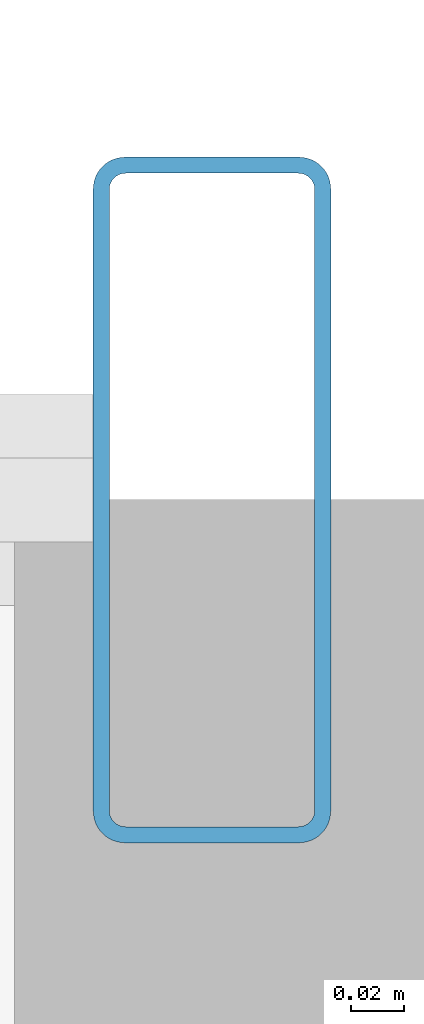
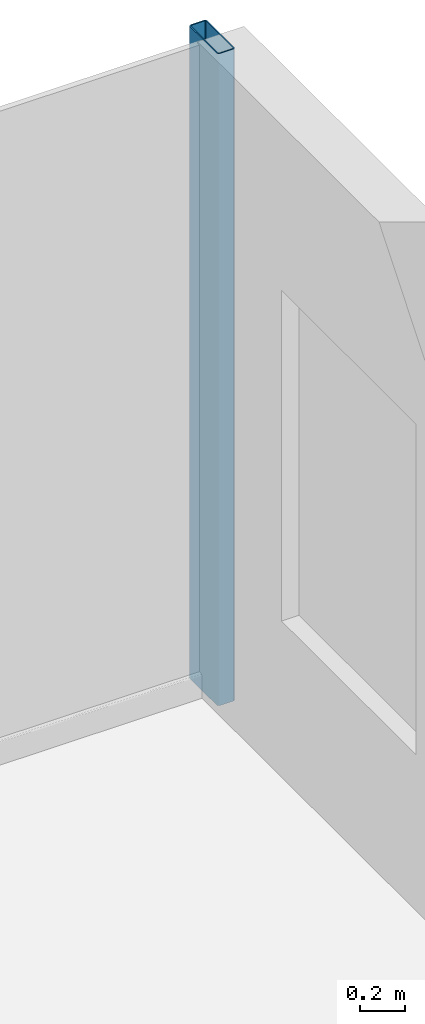
# One storey, part 14 of 25: 1 member, 1 element without a shape of its own.
"""IFC4 building model written with IfcOpenShell, lengths in metres."""

import ifcopenshell
import ifcopenshell.guid

model = None  # the IFC model being written
_history = None  # IfcOwnerHistory: only IFC2X3 demands one
_inside = {}  # id of a spatial element -> (the spatial element, [elements in it])
_under = {}  # id of a project, library or spatial element -> (it, [spatial elements below it])
_declared = {}  # id of a project -> (the project, [libraries it declares])
_typed = {}  # id of a type object -> (the type object, [elements of that type])
_made_of = {}  # id of a material, layer set ... -> (it, [elements and type objects made of it])


def new_model(schema):
    """Start an empty IFC model of exactly this schema.

    Asked for "IFC4X3", IfcOpenShell would pick the latest addendum, in which some entities
    have other attributes; the version numbers below select the first issue.
    IFC2X3 requires an IfcOwnerHistory on every rooted entity: one is made here for all.
    """
    global model, _history
    if schema == "IFC4X3":
        model = ifcopenshell.file(schema_version=(4, 3, 0, 0))
    else:
        model = ifcopenshell.file(schema=schema)
    _inside.clear()
    _under.clear()
    _declared.clear()
    _typed.clear()
    _made_of.clear()
    _history = None
    if model.schema == "IFC2X3":
        org = make("IfcOrganization", Name="unknown")
        user = make(
            "IfcPersonAndOrganization",
            ThePerson=make("IfcPerson", FamilyName="unknown"),
            TheOrganization=org,
        )
        app = make(
            "IfcApplication",
            ApplicationDeveloper=org,
            Version="unknown",
            ApplicationFullName="unknown",
            ApplicationIdentifier="unknown",
        )
        _history = make(
            "IfcOwnerHistory",
            OwningUser=user,
            OwningApplication=app,
            ChangeAction="ADDED",
            CreationDate=0,
        )
    return model


def make(cls, **values):
    """One entity of the class cls with the attributes given. An attribute that is None is left unset."""
    return model.create_entity(
        cls, **{name: value for name, value in values.items() if value is not None}
    )


def rooted(cls, **values):
    """An entity with a GlobalId (a new one), such as an element, a storey or a relation."""
    return make(cls, GlobalId=ifcopenshell.guid.new(), OwnerHistory=_history, **values)


def si_unit(unit_type, name, prefix=None):
    """IfcSIUnit, for example si_unit("LENGTHUNIT", "METRE", prefix="MILLI")."""
    return make("IfcSIUnit", UnitType=unit_type, Prefix=prefix, Name=name)


def assignment(units):
    """IfcUnitAssignment: the units of a project."""
    return None if units is None else make("IfcUnitAssignment", Units=units)


def point(xyz):
    """IfcCartesianPoint."""
    return None if xyz is None else make("IfcCartesianPoint", Coordinates=xyz)


def direction(xyz):
    """IfcDirection."""
    return None if xyz is None else make("IfcDirection", DirectionRatios=xyz)


def frame(location, z_axis=None, x_axis=None):
    """IfcAxis2Placement3D, a coordinate frame: its origin and axes. An axis left out is left unset."""
    return make(
        "IfcAxis2Placement3D",
        Location=point(location),
        Axis=direction(z_axis),
        RefDirection=direction(x_axis),
    )


def frame_2d(location, x_axis=None):
    """IfcAxis2Placement2D, a coordinate frame in the plane: its origin and x axis."""
    return make(
        "IfcAxis2Placement2D", Location=point(location), RefDirection=direction(x_axis)
    )


def origin():
    """The frame at (0, 0, 0) with its axes left unset."""
    return frame((0.0, 0.0, 0.0))


def origin_2d():
    """The frame at (0, 0) in the plane with its x axis left unset."""
    return frame_2d((0.0, 0.0))


def place(relative_to, where):
    """IfcLocalPlacement: puts the frame where relative to a parent placement (None: the world)."""
    return make(
        "IfcLocalPlacement", PlacementRelTo=relative_to, RelativePlacement=where
    )


def context(
    kind, dimensions, precision=None, world=None, true_north=None, identifier=None
):
    """IfcGeometricRepresentationContext, for example the 3D "Model" context."""
    return make(
        "IfcGeometricRepresentationContext",
        ContextIdentifier=identifier,
        ContextType=kind,
        CoordinateSpaceDimension=dimensions,
        Precision=precision,
        WorldCoordinateSystem=world,
        TrueNorth=true_north,
    )


def subcontext(parent, identifier, kind, view, scale=None):
    """IfcGeometricRepresentationSubContext, for example "Body" below "Model"."""
    return make(
        "IfcGeometricRepresentationSubContext",
        ContextIdentifier=identifier,
        ContextType=kind,
        ParentContext=parent,
        TargetScale=scale,
        TargetView=view,
    )


def project(units=None, contexts=None):
    """IfcProject with its units and contexts."""
    return rooted(
        "IfcProject",
        Name="project",
        RepresentationContexts=contexts,
        UnitsInContext=assignment(units),
    )


def spatial(cls, under=None, at=None, **own):
    """A site, building, storey or space (cls), placed at a placement, below another one or the project."""
    s = rooted(cls, ObjectPlacement=at, **own)
    if under is not None:
        _under.setdefault(under.id(), (under, []))[1].append(s)
    return s


def profile(cls, at=None, kind="AREA", **sizes):
    """A parametric profile (cls). Its sizes go by their IFC names, for example OverallWidth=200.0."""
    return make(cls, ProfileType=kind, Position=at, **sizes)


def hollow_rectangle(**sizes):
    """IfcRectangleHollowProfileDef."""
    return profile("IfcRectangleHollowProfileDef", **sizes)


def extrude(swept, where, along, depth):
    """IfcExtrudedAreaSolid: the profile swept, set in the frame where, extruded along a direction by depth."""
    return make(
        "IfcExtrudedAreaSolid",
        SweptArea=swept,
        Position=where,
        ExtrudedDirection=direction(along),
        Depth=depth,
    )


def shape(context_of_items, identifier, shape_type, items):
    """IfcShapeRepresentation: the items that make up one representation, for example the "Body"."""
    return make(
        "IfcShapeRepresentation",
        ContextOfItems=context_of_items,
        RepresentationIdentifier=identifier,
        RepresentationType=shape_type,
        Items=items,
    )


def source(mapping_origin, context_of_items, identifier, shape_type, items):
    """IfcRepresentationMap: a shape defined once, which mapped items show again and again."""
    return make(
        "IfcRepresentationMap",
        MappingOrigin=mapping_origin,
        MappedRepresentation=shape(context_of_items, identifier, shape_type, items),
    )


def transform(
    local_origin,
    x_axis=None,
    y_axis=None,
    z_axis=None,
    scale=None,
    scale2=None,
    scale3=None,
    uniform=True,
):
    """IfcCartesianTransformationOperator3D, or its non-uniform kind. x_axis, y_axis, z_axis: its Axis1, 2, 3."""
    if uniform:
        return make(
            "IfcCartesianTransformationOperator3D",
            Axis1=direction(x_axis),
            Axis2=direction(y_axis),
            LocalOrigin=point(local_origin),
            Scale=scale,
            Axis3=direction(z_axis),
        )
    return make(
        "IfcCartesianTransformationOperator3DnonUniform",
        Axis1=direction(x_axis),
        Axis2=direction(y_axis),
        LocalOrigin=point(local_origin),
        Scale=scale,
        Axis3=direction(z_axis),
        Scale2=scale2,
        Scale3=scale3,
    )


def mapped(mapping_source, mapping_target):
    """IfcMappedItem: shows the shape of a source again, moved by a transform."""
    return make(
        "IfcMappedItem", MappingSource=mapping_source, MappingTarget=mapping_target
    )


def material(Name=None, Category=None):
    """IfcMaterial."""
    return make("IfcMaterial", Name=Name, Category=Category)


def layer(
    of_material, thickness, ventilated=None, Name=None, Category=None, Priority=None
):
    """IfcMaterialLayer: one layer of a wall or slab, of a material (None: an air gap)."""
    return make(
        "IfcMaterialLayer",
        Material=of_material,
        LayerThickness=thickness,
        IsVentilated=ventilated,
        Name=Name,
        Category=Category,
        Priority=Priority,
    )


def layer_set(layers, Name=None):
    """IfcMaterialLayerSet."""
    return make("IfcMaterialLayerSet", MaterialLayers=layers, LayerSetName=Name)


def material_profile(
    of_material, cross_section, Name=None, Category=None, Priority=None
):
    """IfcMaterialProfile: a cross section and its material."""
    return make(
        "IfcMaterialProfile",
        Name=Name,
        Material=of_material,
        Profile=cross_section,
        Priority=Priority,
        Category=Category,
    )


def profile_set(profiles, Name=None, composite=None):
    """IfcMaterialProfileSet."""
    return make(
        "IfcMaterialProfileSet",
        Name=Name,
        MaterialProfiles=profiles,
        CompositeProfile=composite,
    )


def made_of(thing, what):
    """Note that an element or type object is made of a material, layer set ...; save() writes the relation."""
    if what is not None:
        _made_of.setdefault(what.id(), (what, []))[1].append(thing)
    return thing


def type_object(cls, material=None, **own):
    """A type object (cls), such as IfcWallType, which elements share."""
    return made_of(rooted(cls, **own), material)


def element(
    cls,
    number,
    at=None,
    inside=None,
    cuts=None,
    type_object=None,
    material=None,
    context=None,
    identifier="Body",
    shape_type=None,
    held_by="IfcProductDefinitionShape",
    body=None,
    shapes=None,
    **own,
):
    """One element of the class cls, such as IfcWall. Its Tag is "e" and its number.

    at: its placement. inside: the storey or other place that contains it. cuts: it is an
    opening in that element (IfcRelVoidsElement). A single representation is given by context,
    identifier, shape_type and body (its items); several are given by shapes. held_by: the class
    of the entity that holds the representations. save() writes the other relations.
    """
    e = rooted(cls, Tag="e%d" % number, ObjectPlacement=at, **own)
    if body is not None:
        shapes = [shape(context, identifier, shape_type, body)]
    if shapes is not None:
        e.Representation = make(held_by, Representations=shapes)
    if inside is not None:
        _inside.setdefault(inside.id(), (inside, []))[1].append(e)
    if cuts is not None:
        rooted(
            "IfcRelVoidsElement", RelatingBuildingElement=cuts, RelatedOpeningElement=e
        )
    if type_object is not None:
        _typed.setdefault(type_object.id(), (type_object, []))[1].append(e)
    return made_of(e, material)


def aggregate(whole, parts):
    """IfcRelAggregates: a whole, such as a stair, and the parts it consists of."""
    return rooted("IfcRelAggregates", RelatingObject=whole, RelatedObjects=parts)


def save(model, path):
    """Write the relations noted so far, then the file.

    IfcRelAggregates (storeys below a building ...), IfcRelContainedInSpatialStructure (elements
    in a storey), IfcRelDefinesByType, IfcRelAssociatesMaterial and IfcRelDeclares: one each for
    every whole, place, type object, material and project.
    """
    for whole, parts in _under.values():
        aggregate(whole, parts)
    for where, things in _inside.values():
        rooted(
            "IfcRelContainedInSpatialStructure",
            RelatedElements=things,
            RelatingStructure=where,
        )
    for kind, things in _typed.values():
        rooted("IfcRelDefinesByType", RelatedObjects=things, RelatingType=kind)
    for what, things in _made_of.values():
        rooted("IfcRelAssociatesMaterial", RelatedObjects=things, RelatingMaterial=what)
    for by, libraries in _declared.values():
        rooted("IfcRelDeclares", RelatingContext=by, RelatedDefinitions=libraries)
    model.write(path)


model = new_model("IFC4")

# Units and contexts
model_context = context("Model", 3, precision=1e-05, world=origin(), true_north=direction((0.0, 1.0)))
body_context = subcontext(model_context, "Body", "Model", "MODEL_VIEW")
ifc_project = project(units=[si_unit("LENGTHUNIT", "METRE"), si_unit("AREAUNIT", "SQUARE_METRE"), si_unit("VOLUMEUNIT", "CUBIC_METRE"), si_unit("PLANEANGLEUNIT", "RADIAN"), si_unit("MASSUNIT", "GRAM", prefix="KILO")], contexts=[model_context])

# Site, building, storey
site_placement = place(None, origin())
site = spatial("IfcSite", under=ifc_project, at=site_placement, CompositionType="ELEMENT")
building_placement = place(site_placement, origin())
building = spatial("IfcBuilding", under=site, at=building_placement, Name="Nefas-Gora Pilgrimage Tower", CompositionType="ELEMENT")
storey_placement = place(building_placement, frame((0.0, 0.0, 52.0)))
storey = spatial("IfcBuildingStorey", under=building, at=storey_placement, Name="L11", CompositionType="ELEMENT", Elevation=52.0)

# Curtain wall, member
ifc_material_1 = material(Name="Dark ceramic-fritted solar-control aluminium-glass curtain wall", Category="aluminium")
ifc_layer = layer(ifc_material_1, 0.219970703125)
ifc_layer_set = layer_set([ifc_layer], Name="Dark ceramic-fritted solar-control aluminium-glass curtain wall")
curtain_wall_type = type_object("IfcCurtainWallType", Name="CW-SYS-2", PredefinedType="NOTDEFINED", material=ifc_layer_set)
curtain_wall_placement = place(storey_placement, origin())
curtain_wall = element("IfcCurtainWall", 1, at=curtain_wall_placement, inside=storey, type_object=curtain_wall_type, Name="L11 Unitised Curtain Wall CW2", PredefinedType="NOTDEFINED")
ifc_material_2 = material(Name="Anodised architectural aluminium", Category="aluminium")
ifc_material_profile = material_profile(ifc_material_2, hollow_rectangle(XDim=0.090087890625, YDim=0.260009765625, WallThickness=0.006103515625, InnerFilletRadius=0.006103515625, OuterFilletRadius=0.011962890625, at=origin_2d()), Name="ALU MULLION 90x260")
ifc_profile_set = profile_set([ifc_material_profile], Name="Anodised architectural aluminium")
member_type = type_object("IfcMemberType", Name="CWM-MUL-2", PredefinedType="MULLION", material=ifc_profile_set)
shared_shape = source(origin(), body_context, "Body", "SweptSolid", [
    extrude(hollow_rectangle(XDim=0.090087890625, YDim=0.260009765625, WallThickness=0.006103515625, InnerFilletRadius=0.006103515625, OuterFilletRadius=0.011962890625, at=origin_2d()), origin(), (0.0, 0.0, 1.0), 3.550048828125),
])
member_placement = place(storey_placement, frame((28.824951171875, 23.02001953125, 0.0), z_axis=(0.0, 0.0, 1.0), x_axis=(-1.0, 0.0, 0.0)))
member = element("IfcMember", 2, at=member_placement, type_object=member_type, Name="CW2 Mullion 1", PredefinedType="MULLION", context=body_context, shape_type="MappedRepresentation", body=[
    mapped(shared_shape, transform((0.0, 0.0, 0.0), x_axis=(1.0, 0.0, 0.0), y_axis=(0.0, 1.0, 0.0), z_axis=(0.0, 0.0, 1.0), scale=1.0)),
])
aggregate(curtain_wall, [member])

save(model, "model.ifc")
